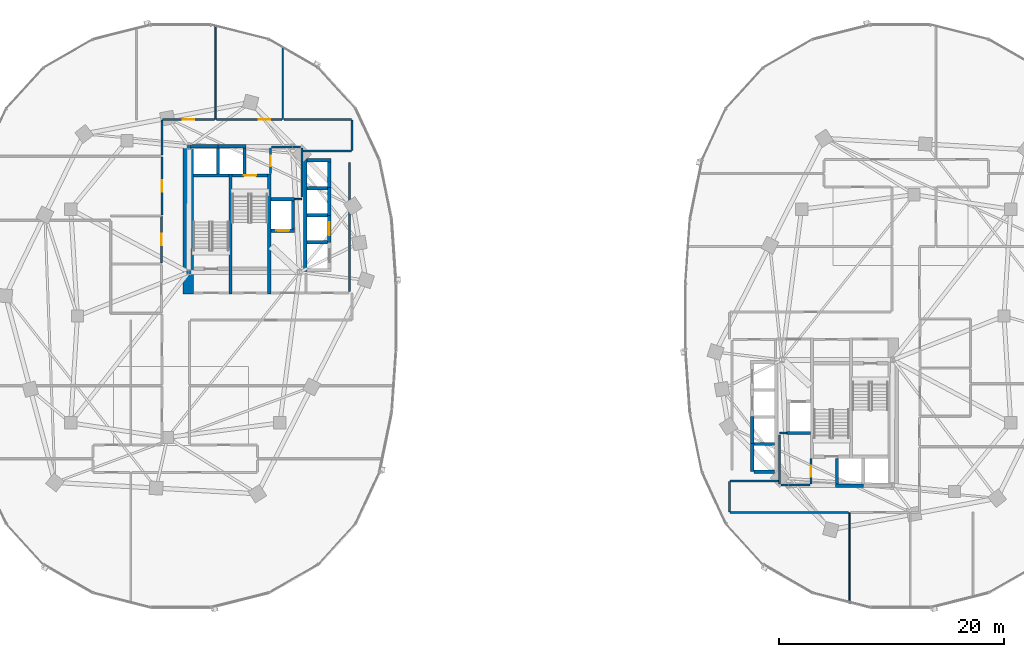
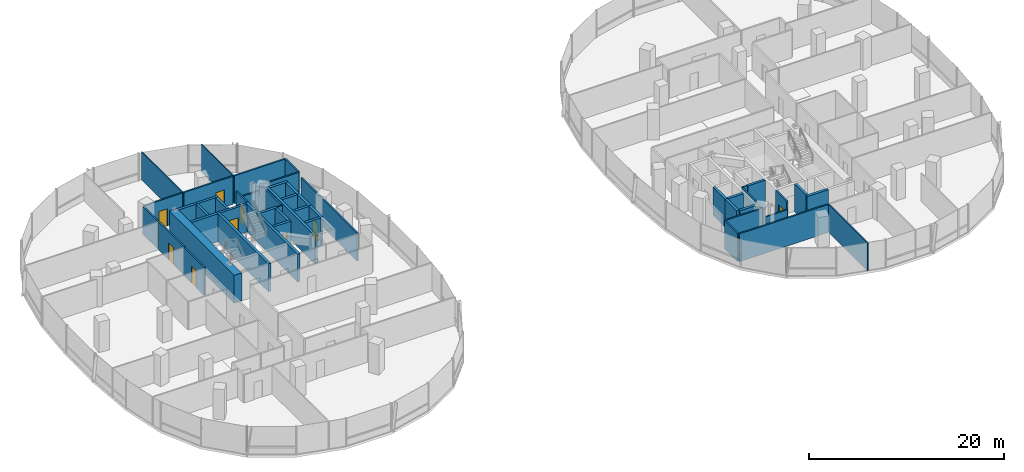
# One storey, part 12 of 22: 50 walls, 9 doors, 9 openings.
"""IFC4 building model written with IfcOpenShell, lengths in metres."""

from ifc_helpers import new_model, si_unit, direction, frame, frame_2d, origin, place, context, subcontext, project, spatial, rectangle, extrude, material, layer, layer_set, type_object, element, fill, save


model = new_model("IFC4")

# Units and contexts
model_context = context("Model", 3, precision=1e-05, world=origin(), true_north=direction((0.0, 1.0)))
body_context = subcontext(model_context, "Body", "Model", "MODEL_VIEW")
ifc_project = project(units=[si_unit("LENGTHUNIT", "METRE"), si_unit("AREAUNIT", "SQUARE_METRE"), si_unit("VOLUMEUNIT", "CUBIC_METRE"), si_unit("PLANEANGLEUNIT", "RADIAN"), si_unit("MASSUNIT", "GRAM", prefix="KILO"), si_unit("THERMODYNAMICTEMPERATUREUNIT", "KELVIN"), si_unit("POWERUNIT", "WATT")], contexts=[model_context])

# Site, building, storey
site_placement = place(None, origin())
site = spatial("IfcSite", under=ifc_project, at=site_placement, CompositionType="ELEMENT")
building_placement = place(site_placement, origin())
building = spatial("IfcBuilding", under=site, at=building_placement, Name="Cundina Bronze Exchange", CompositionType="ELEMENT")
storey_placement = place(building_placement, frame((0.0, 0.0, 35.39990234375)))
storey = spatial("IfcBuildingStorey", under=building, at=storey_placement, Name="L08", CompositionType="ELEMENT", Elevation=35.39990234375)

# Walls
ifc_material_1 = material(Name="Gypsum Fireboard Partition EI120")
ifc_layer_1 = layer(ifc_material_1, 0.179931640625, Name="Gypsum Fireboard Partition EI120")
ifc_layer_set_1 = layer_set([ifc_layer_1], Name="Gypsum Fireboard Partition EI120")
wall_type_1 = type_object("IfcWallType", Name="WL-COR-180", PredefinedType="PARTITIONING", material=ifc_layer_set_1)
wall_1_placement = place(storey_placement, frame((-17.02001953125, 2.169921875, 0.0), z_axis=(0.0, 0.0, 1.0), x_axis=(0.0, 1.0, 0.0)))
element("IfcWall", 1, at=wall_1_placement, inside=storey, type_object=wall_type_1, Name="L08 Interior Partition 001", PredefinedType="PARTITIONING", context=body_context, shape_type="SweptSolid", body=[
    extrude(rectangle(XDim=11.510009765625, YDim=0.179931640625, at=frame_2d((5.7548828125, 0.0))), origin(), (0.0, 0.0, 1.0), 3.5),
])
wall_2_placement = place(storey_placement, frame((-21.25, 10.570068359375, 0.0), z_axis=(0.0, 0.0, 1.0), x_axis=(0.0, 1.0, 0.0)))
element("IfcWall", 2, at=wall_2_placement, inside=storey, type_object=wall_type_1, Name="L08 Interior Partition 004", PredefinedType="PARTITIONING", context=body_context, shape_type="SweptSolid", body=[
    extrude(rectangle(XDim=4.35986328125, YDim=0.179931640625, at=frame_2d((2.179931640625, 0.0))), origin(), (0.0, 0.0, 1.0), 3.5),
])
wall_3_placement = place(storey_placement, frame((-23.9599609375, 15.030029296875, 0.0), z_axis=(0.0, 0.0, 1.0), x_axis=(1.0, 0.0, 0.0)))
element("IfcWall", 3, at=wall_3_placement, inside=storey, type_object=wall_type_1, Name="L08 Interior Partition 005", PredefinedType="PARTITIONING", context=body_context, shape_type="SweptSolid", body=[
    extrude(rectangle(XDim=2.60986328125, YDim=0.179931640625, at=frame_2d((1.304931640625, 0.0))), origin(), (0.0, 0.0, 1.0), 2.572998046875),
])

# Wall, opening, door
wall_4_placement = place(storey_placement, frame((-24.02001953125, 12.669921875, 0.0), z_axis=(0.0, 0.0, 1.0), x_axis=(0.0, 1.0, 0.0)))
wall_4 = element("IfcWall", 4, at=wall_4_placement, inside=storey, type_object=wall_type_1, Name="L08 Interior Partition 007", PredefinedType="PARTITIONING", context=body_context, shape_type="SweptSolid", body=[
    extrude(rectangle(XDim=2.260009765625, YDim=0.179931640625, at=frame_2d((1.1298828125, 0.0))), origin(), (0.0, 0.0, 1.0), 3.5),
])
opening_1_placement = place(wall_4_placement, frame((0.655029296875, 0.0, 0.0)))
opening_1 = element("IfcOpeningElement", 5, at=opening_1_placement, cuts=wall_4, Name="Opening DW-01", PredefinedType="OPENING", context=body_context, shape_type="SweptSolid", body=[
    extrude(rectangle(XDim=0.949951171875, YDim=2.10009765625, at=frame_2d((0.47509765625, 1.050048828125))), frame((0.0, 0.099853515625, 0.0), z_axis=(0.0, -1.0, 0.0), x_axis=(1.0, 0.0, 0.0)), (0.0, 0.0, 1.0), 0.199951171875),
])
ifc_material_2 = material(Name="Solid Andean Oak Timber Grade A", Category="wood")
door_type_1 = type_object("IfcDoorType", Name="DR-WC-950", OperationType="NOTDEFINED", PredefinedType="DOOR", material=ifc_material_2)
door_1_placement = place(opening_1_placement, origin())
door_1 = element("IfcDoor", 6, at=door_1_placement, inside=storey, type_object=door_type_1, Name="L08 Interior Door 007", OperationType="SINGLE_SWING_RIGHT", OverallHeight=2.10009765625, OverallWidth=0.949951171875, PredefinedType="DOOR", context=body_context, shape_type="SweptSolid", body=[
    extrude(rectangle(XDim=0.949951171875, YDim=2.10009765625, at=frame_2d((0.47509765625, 1.050048828125))), frame((0.0, 0.02490234375, 0.0), z_axis=(0.0, -1.0, 0.0), x_axis=(1.0, 0.0, 0.0)), (0.0, 0.0, 1.0), 0.050048828125),
])
fill(opening_1, door_1)

wall_5_placement = place(storey_placement, frame((-33.719970703125, 4.72998046875, 0.0), z_axis=(0.0, 0.0, 1.0), x_axis=(0.0, 1.0, 0.0)))
wall_5 = element("IfcWall", 7, at=wall_5_placement, inside=storey, type_object=wall_type_1, Name="L08 Interior Partition 014", PredefinedType="PARTITIONING", context=body_context, shape_type="SweptSolid", body=[
    extrude(rectangle(XDim=4.159912109375, YDim=0.179931640625, at=frame_2d((2.080078125, 0.0))), origin(), (0.0, 0.0, 1.0), 3.5),
])
opening_2_placement = place(wall_5_placement, frame((1.580078125, 0.0, 0.0)))
opening_2 = element("IfcOpeningElement", 8, at=opening_2_placement, cuts=wall_5, Name="Opening DO-01", PredefinedType="OPENING", context=body_context, shape_type="SweptSolid", body=[
    extrude(rectangle(XDim=1.0, YDim=2.14990234375, at=frame_2d((0.5, 1.074951171875))), frame((0.0, 0.099853515625, 0.0), z_axis=(0.0, -1.0, 0.0), x_axis=(1.0, 0.0, 0.0)), (0.0, 0.0, 1.0), 0.199951171875),
])
door_type_2 = type_object("IfcDoorType", Name="DR-OFF-1000", OperationType="NOTDEFINED", PredefinedType="DOOR", material=ifc_material_2)
door_2_placement = place(opening_2_placement, origin())
door_2 = element("IfcDoor", 9, at=door_2_placement, inside=storey, type_object=door_type_2, Name="L08 Interior Door 014", OperationType="SINGLE_SWING_LEFT", OverallHeight=2.14990234375, OverallWidth=1.0, PredefinedType="DOOR", context=body_context, shape_type="SweptSolid", body=[
    extrude(rectangle(XDim=1.0, YDim=2.14990234375, at=frame_2d((0.5, 1.074951171875))), frame((0.0, 0.02490234375, 0.0), z_axis=(0.0, -1.0, 0.0), x_axis=(1.0, 0.0, 0.0)), (0.0, 0.0, 1.0), 0.050048828125),
])
fill(opening_2, door_2)

# Walls
wall_6_placement = place(storey_placement, frame((-16.821533203125, 17.469970703125, 0.0), z_axis=(0.0, 0.0, 1.0), x_axis=(-1.0, 0.0, 0.0)))
element("IfcWall", 10, at=wall_6_placement, inside=storey, type_object=wall_type_1, Name="L08 Interior Partition 041", PredefinedType="PARTITIONING", context=body_context, shape_type="SweptSolid", body=[
    extrude(rectangle(XDim=6.028564453125, YDim=0.179931640625, at=frame_2d((3.01416015625, 0.0))), origin(), (0.0, 0.0, 1.0), 3.5),
])
wall_7_placement = place(storey_placement, frame((-21.178466796875, 14.679931640625, 0.0), z_axis=(0.0, 0.0, 1.0), x_axis=(1.0, 0.0, 0.0)))
element("IfcWall", 11, at=wall_7_placement, inside=storey, type_object=wall_type_1, Name="L08 Interior Partition 043", PredefinedType="PARTITIONING", context=body_context, shape_type="SweptSolid", body=[
    extrude(rectangle(XDim=4.35693359375, YDim=0.179931640625, at=frame_2d((2.178466796875, 0.0))), origin(), (0.0, 0.0, 1.0), 3.5),
])
wall_8_placement = place(storey_placement, frame((-16.780029296875, 14.721435546875, 0.0), z_axis=(0.0, 0.0, 1.0), x_axis=(0.0, 1.0, 0.0)))
element("IfcWall", 12, at=wall_8_placement, inside=storey, type_object=wall_type_1, Name="L08 Interior Partition 044", PredefinedType="PARTITIONING", context=body_context, shape_type="SweptSolid", body=[
    extrude(rectangle(XDim=2.70703125, YDim=0.179931640625, at=frame_2d((1.353515625, 0.0))), origin(), (0.0, 0.0, 1.0), 3.5),
])

# Wall, opening, door
wall_9_placement = place(storey_placement, frame((-33.669921875, 14.1298828125, 0.0), z_axis=(0.0, 0.0, 1.0), x_axis=(0.0, -1.0, 0.0)))
wall_9 = element("IfcWall", 13, at=wall_9_placement, inside=storey, type_object=wall_type_1, Name="L08 Interior Partition 046", PredefinedType="PARTITIONING", context=body_context, shape_type="SweptSolid", body=[
    extrude(rectangle(XDim=5.12841796875, YDim=0.179931640625, at=frame_2d((2.564208984375, 0.0))), origin(), (0.0, 0.0, 1.0), 3.5),
])
opening_3_placement = place(wall_9_placement, frame((2.064208984375, 0.0, 0.0)))
opening_3 = element("IfcOpeningElement", 14, at=opening_3_placement, cuts=wall_9, Name="Opening DO-01", PredefinedType="OPENING", context=body_context, shape_type="SweptSolid", body=[
    extrude(rectangle(XDim=1.0, YDim=2.14990234375, at=frame_2d((0.5, 1.074951171875))), frame((0.0, 0.099853515625, 0.0), z_axis=(0.0, -1.0, 0.0), x_axis=(1.0, 0.0, 0.0)), (0.0, 0.0, 1.0), 0.199951171875),
])
door_3_placement = place(opening_3_placement, origin())
door_3 = element("IfcDoor", 15, at=door_3_placement, inside=storey, type_object=door_type_2, Name="L08 Interior Door 046", OperationType="SINGLE_SWING_RIGHT", OverallHeight=2.14990234375, OverallWidth=1.0, PredefinedType="DOOR", context=body_context, shape_type="SweptSolid", body=[
    extrude(rectangle(XDim=1.0, YDim=2.14990234375, at=frame_2d((0.5, 1.074951171875))), frame((0.0, 0.02490234375, 0.0), z_axis=(0.0, -1.0, 0.0), x_axis=(1.0, 0.0, 0.0)), (0.0, 0.0, 1.0), 0.050048828125),
])
fill(opening_3, door_3)

wall_10_placement = place(storey_placement, frame((-29.030029296875, 17.469970703125, 0.0), z_axis=(0.0, 0.0, 1.0), x_axis=(-1.0, 0.0, 0.0)))
wall_10 = element("IfcWall", 16, at=wall_10_placement, inside=storey, type_object=wall_type_1, Name="L08 Interior Partition 047", PredefinedType="PARTITIONING", context=body_context, shape_type="SweptSolid", body=[
    extrude(rectangle(XDim=4.598388671875, YDim=0.179931640625, at=frame_2d((2.29931640625, 0.0))), origin(), (0.0, 0.0, 1.0), 3.5),
])
opening_4_placement = place(wall_10_placement, frame((1.79931640625, 0.0, 0.0)))
opening_4 = element("IfcOpeningElement", 17, at=opening_4_placement, cuts=wall_10, Name="Opening DO-01", PredefinedType="OPENING", context=body_context, shape_type="SweptSolid", body=[
    extrude(rectangle(XDim=1.0, YDim=2.14990234375, at=frame_2d((0.5, 1.074951171875))), frame((0.0, 0.099853515625, 0.0), z_axis=(0.0, -1.0, 0.0), x_axis=(1.0, 0.0, 0.0)), (0.0, 0.0, 1.0), 0.199951171875),
])
door_4_placement = place(opening_4_placement, origin())
door_4 = element("IfcDoor", 18, at=door_4_placement, inside=storey, type_object=door_type_2, Name="L08 Interior Door 047", OperationType="SINGLE_SWING_LEFT", OverallHeight=2.14990234375, OverallWidth=1.0, PredefinedType="DOOR", context=body_context, shape_type="SweptSolid", body=[
    extrude(rectangle(XDim=1.0, YDim=2.14990234375, at=frame_2d((0.5, 1.074951171875))), frame((0.0, 0.02490234375, 0.0), z_axis=(0.0, -1.0, 0.0), x_axis=(1.0, 0.0, 0.0)), (0.0, 0.0, 1.0), 0.050048828125),
])
fill(opening_4, door_4)

# Wall
wall_11_placement = place(storey_placement, frame((-33.669921875, 17.428466796875, 0.0), z_axis=(0.0, 0.0, 1.0), x_axis=(0.0, -1.0, 0.0)))
element("IfcWall", 19, at=wall_11_placement, inside=storey, type_object=wall_type_1, Name="L08 Interior Partition 048", PredefinedType="PARTITIONING", context=body_context, shape_type="SweptSolid", body=[
    extrude(rectangle(XDim=3.118408203125, YDim=0.179931640625, at=frame_2d((1.55908203125, 0.0))), origin(), (0.0, 0.0, 1.0), 3.5),
])

# Wall, opening, door
wall_12_placement = place(storey_placement, frame((-23.030029296875, 17.469970703125, 0.0), z_axis=(0.0, 0.0, 1.0), x_axis=(-1.0, 0.0, 0.0)))
wall_12 = element("IfcWall", 20, at=wall_12_placement, inside=storey, type_object=wall_type_1, Name="L08 Interior Partition 049", PredefinedType="PARTITIONING", context=body_context, shape_type="SweptSolid", body=[
    extrude(rectangle(XDim=5.820068359375, YDim=0.179931640625, at=frame_2d((2.91015625, 0.0))), origin(), (0.0, 0.0, 1.0), 3.5),
])
opening_5_placement = place(wall_12_placement, frame((1.035888671875, 0.0, 0.0)))
opening_5 = element("IfcOpeningElement", 21, at=opening_5_placement, cuts=wall_12, Name="Opening DO-01", PredefinedType="OPENING", context=body_context, shape_type="SweptSolid", body=[
    extrude(rectangle(XDim=1.0, YDim=2.14990234375, at=frame_2d((0.5, 1.074951171875))), frame((0.0, 0.099853515625, 0.0), z_axis=(0.0, -1.0, 0.0), x_axis=(1.0, 0.0, 0.0)), (0.0, 0.0, 1.0), 0.199951171875),
])
door_5_placement = place(opening_5_placement, origin())
door_5 = element("IfcDoor", 22, at=door_5_placement, inside=storey, type_object=door_type_2, Name="L08 Interior Door 049", OperationType="SINGLE_SWING_LEFT", OverallHeight=2.14990234375, OverallWidth=1.0, PredefinedType="DOOR", context=body_context, shape_type="SweptSolid", body=[
    extrude(rectangle(XDim=1.0, YDim=2.14990234375, at=frame_2d((0.5, 1.074951171875))), frame((0.0, 0.02490234375, 0.0), z_axis=(0.0, -1.0, 0.0), x_axis=(1.0, 0.0, 0.0)), (0.0, 0.0, 1.0), 0.050048828125),
])
fill(opening_5, door_5)

# Walls
wall_13_placement = place(storey_placement, frame((21.25, -14.929931640625, 0.0), z_axis=(0.0, 0.0, 1.0), x_axis=(0.0, 1.0, 0.0)))
element("IfcWall", 23, at=wall_13_placement, inside=storey, type_object=wall_type_1, Name="L08 Interior Partition 053", PredefinedType="PARTITIONING", context=body_context, shape_type="SweptSolid", body=[
    extrude(rectangle(XDim=4.35986328125, YDim=0.179931640625, at=frame_2d((2.179931640625, 0.0))), origin(), (0.0, 0.0, 1.0), 3.5),
])
wall_14_placement = place(storey_placement, frame((21.35009765625, -15.030029296875, 0.0), z_axis=(0.0, 0.0, 1.0), x_axis=(1.0, 0.0, 0.0)))
element("IfcWall", 24, at=wall_14_placement, inside=storey, type_object=wall_type_1, Name="L08 Interior Partition 054", PredefinedType="PARTITIONING", context=body_context, shape_type="SweptSolid", body=[
    extrude(rectangle(XDim=2.60986328125, YDim=0.179931640625, at=frame_2d((1.304931640625, 0.0))), origin(), (0.0, 0.0, 1.0), 2.572998046875),
])

# Wall, opening, door
wall_15_placement = place(storey_placement, frame((24.02001953125, -14.929931640625, 0.0), z_axis=(0.0, 0.0, 1.0), x_axis=(0.0, 1.0, 0.0)))
wall_15 = element("IfcWall", 25, at=wall_15_placement, inside=storey, type_object=wall_type_1, Name="L08 Interior Partition 056", PredefinedType="PARTITIONING", context=body_context, shape_type="SweptSolid", body=[
    extrude(rectangle(XDim=2.260009765625, YDim=0.179931640625, at=frame_2d((1.1298828125, 0.0))), origin(), (0.0, 0.0, 1.0), 3.5),
])
opening_6_placement = place(wall_15_placement, frame((0.655029296875, 0.0, 0.0)))
opening_6 = element("IfcOpeningElement", 26, at=opening_6_placement, cuts=wall_15, Name="Opening DW-01", PredefinedType="OPENING", context=body_context, shape_type="SweptSolid", body=[
    extrude(rectangle(XDim=0.949951171875, YDim=2.10009765625, at=frame_2d((0.47509765625, 1.050048828125))), frame((0.0, 0.099853515625, 0.0), z_axis=(0.0, -1.0, 0.0), x_axis=(1.0, 0.0, 0.0)), (0.0, 0.0, 1.0), 0.199951171875),
])
door_6_placement = place(opening_6_placement, origin())
door_6 = element("IfcDoor", 27, at=door_6_placement, inside=storey, type_object=door_type_1, Name="L08 Interior Door 056", OperationType="SINGLE_SWING_LEFT", OverallHeight=2.10009765625, OverallWidth=0.949951171875, PredefinedType="DOOR", context=body_context, shape_type="SweptSolid", body=[
    extrude(rectangle(XDim=0.949951171875, YDim=2.10009765625, at=frame_2d((0.47509765625, 1.050048828125))), frame((0.0, 0.02490234375, 0.0), z_axis=(0.0, -1.0, 0.0), x_axis=(1.0, 0.0, 0.0)), (0.0, 0.0, 1.0), 0.050048828125),
])
fill(opening_6, door_6)

# Walls
wall_16_placement = place(storey_placement, frame((16.821533203125, -17.469970703125, 0.0), z_axis=(0.0, 0.0, 1.0), x_axis=(1.0, 0.0, 0.0)))
element("IfcWall", 28, at=wall_16_placement, inside=storey, type_object=wall_type_1, Name="L08 Interior Partition 081", PredefinedType="PARTITIONING", context=body_context, shape_type="SweptSolid", body=[
    extrude(rectangle(XDim=10.548583984375, YDim=0.179931640625, at=frame_2d((5.2744140625, 0.0))), origin(), (0.0, 0.0, 1.0), 3.5),
])
wall_17_placement = place(storey_placement, frame((21.178466796875, -14.679931640625, 0.0), z_axis=(0.0, 0.0, 1.0), x_axis=(-1.0, 0.0, 0.0)))
element("IfcWall", 29, at=wall_17_placement, inside=storey, type_object=wall_type_1, Name="L08 Interior Partition 083", PredefinedType="PARTITIONING", context=body_context, shape_type="SweptSolid", body=[
    extrude(rectangle(XDim=4.35693359375, YDim=0.179931640625, at=frame_2d((2.178466796875, 0.0))), origin(), (0.0, 0.0, 1.0), 3.5),
])
wall_18_placement = place(storey_placement, frame((16.780029296875, -14.721435546875, 0.0), z_axis=(0.0, 0.0, 1.0), x_axis=(0.0, -1.0, 0.0)))
element("IfcWall", 30, at=wall_18_placement, inside=storey, type_object=wall_type_1, Name="L08 Interior Partition 084", PredefinedType="PARTITIONING", context=body_context, shape_type="SweptSolid", body=[
    extrude(rectangle(XDim=2.70703125, YDim=0.179931640625, at=frame_2d((1.353515625, 0.0))), origin(), (0.0, 0.0, 1.0), 3.5),
])
ifc_material_3 = material(Name="Concrete C60/75", Category="concrete")
ifc_layer_2 = layer(ifc_material_3, 0.89990234375, Name="Concrete C60/75", Category="concrete")
ifc_layer_set_2 = layer_set([ifc_layer_2], Name="Concrete C60/75")
wall_type_2 = type_object("IfcWallType", Name="WL-CORE-900", PredefinedType="SHEAR", material=ifc_layer_set_2)
wall_19_placement = place(storey_placement, frame((-31.35009765625, 1.969970703125, 0.0), z_axis=(0.0, 0.0, 1.0), x_axis=(0.0, 1.0, 0.0)))
element("IfcWall", 31, at=wall_19_placement, inside=storey, type_object=wall_type_2, Name="L08 W Primary Core Shear Spine Wall", PredefinedType="SHEAR", context=body_context, shape_type="SweptSolid", body=[
    extrude(rectangle(XDim=13.330078125, YDim=0.89990234375, at=frame_2d((6.6650390625, 0.0))), origin(), (0.0, 0.0, 1.0), 3.5),
])
ifc_material_4 = material(Name="Gypsum Acoustic Partition EI60")
ifc_layer_3 = layer(ifc_material_4, 0.125, Name="Gypsum Acoustic Partition EI60")
ifc_layer_set_3 = layer_set([ifc_layer_3], Name="Gypsum Acoustic Partition EI60")
wall_type_3 = type_object("IfcWallType", Name="WL-OFF-125", PredefinedType="PARTITIONING", material=ifc_layer_set_3)
wall_20_placement = place(storey_placement, frame((-28.93994140625, 17.5, 0.0), z_axis=(0.0, 0.0, 1.0), x_axis=(0.0, 1.0, 0.0)))
element("IfcWall", 32, at=wall_20_placement, inside=storey, type_object=wall_type_3, Name="L08 Interior Partition 026", PredefinedType="PARTITIONING", context=body_context, shape_type="SweptSolid", body=[
    extrude(rectangle(XDim=8.394775390625, YDim=0.125, at=frame_2d((4.197265625, 0.0))), origin(), (0.0, 0.0, 1.0), 3.5),
])
wall_21_placement = place(storey_placement, frame((-22.93994140625, 17.5, 0.0), z_axis=(0.0, 0.0, 1.0), x_axis=(0.0, 1.0, 0.0)))
element("IfcWall", 33, at=wall_21_placement, inside=storey, type_object=wall_type_3, Name="L08 Interior Partition 027", PredefinedType="PARTITIONING", context=body_context, shape_type="SweptSolid", body=[
    extrude(rectangle(XDim=6.490478515625, YDim=0.125, at=frame_2d((3.2451171875, 0.0))), origin(), (0.0, 0.0, 1.0), 3.5),
])
wall_22_placement = place(storey_placement, frame((27.4599609375, -25.5205078125, 0.0), z_axis=(0.0, 0.0, 1.0), x_axis=(0.0, 1.0, 0.0)))
element("IfcWall", 34, at=wall_22_placement, inside=storey, type_object=wall_type_3, Name="L08 Interior Partition 073", PredefinedType="PARTITIONING", context=body_context, shape_type="SweptSolid", body=[
    extrude(rectangle(XDim=8.0205078125, YDim=0.125, at=frame_2d((4.01025390625, 0.0))), origin(), (0.0, 0.0, 1.0), 3.5),
])
ifc_material_5 = material(Name="Concrete C50/60", Category="concrete")
ifc_layer_4 = layer(ifc_material_5, 0.300048828125, Name="Concrete C50/60", Category="concrete")
ifc_layer_set_4 = layer_set([ifc_layer_4], Name="Concrete C50/60")
wall_type_4 = type_object("IfcWallType", Name="WL-SHFT-300", PredefinedType="SHEAR", material=ifc_layer_set_4)
for number, where, z_axis, x_axis, name in (
    (35, (-27.590087890625, 1.969970703125, 0.0), (0.0, 0.0, 1.0), (0.0, 1.0, 0.0), "L08 W Stair Shaft Dividing Shear Wall"),
    (36, (-24.1298828125, 1.969970703125, 0.0), (0.0, 0.0, 1.0), (0.0, 1.0, 0.0), "L08 W Stair 2 East Shear Wall"),
):
    element("IfcWall", number, at=place(storey_placement, frame(where, z_axis=z_axis, x_axis=x_axis)), inside=storey, type_object=wall_type_4, Name=name, PredefinedType="SHEAR", context=body_context, shape_type="SweptSolid", body=[
        extrude(rectangle(XDim=10.679931640625, YDim=0.300048828125, at=frame_2d((5.33984375, 0.0))), origin(), (0.0, 0.0, 1.0), 3.5),
    ])
wall_23_placement = place(storey_placement, frame((-30.89990234375, 12.5, 0.0), z_axis=(0.0, 0.0, 1.0), x_axis=(1.0, 0.0, 0.0)))
element("IfcWall", 37, at=wall_23_placement, inside=storey, type_object=wall_type_4, Name="L08 Stair W1 Far Shaft Wall", PredefinedType="SHEAR", context=body_context, shape_type="SweptSolid", body=[
    extrude(rectangle(XDim=3.159912109375, YDim=0.300048828125, at=frame_2d((1.580078125, 0.0))), origin(), (0.0, 0.0, 1.0), 3.5),
])

# Wall, opening, door
wall_24_placement = place(storey_placement, frame((-27.43994140625, 12.5, 0.0), z_axis=(0.0, 0.0, 1.0), x_axis=(1.0, 0.0, 0.0)))
wall_24 = element("IfcWall", 38, at=wall_24_placement, inside=storey, type_object=wall_type_4, Name="L08 Stair W2 Landing Wall", PredefinedType="SHEAR", context=body_context, shape_type="SweptSolid", body=[
    extrude(rectangle(XDim=3.159912109375, YDim=0.300048828125, at=frame_2d((1.580078125, 0.0))), origin(), (0.0, 0.0, 1.0), 3.5),
])
opening_7_placement = place(wall_24_placement, frame((1.030029296875, 0.0, 0.0)))
opening_7 = element("IfcOpeningElement", 39, at=opening_7_placement, cuts=wall_24, Name="Opening DS-01", PredefinedType="OPENING", context=body_context, shape_type="SweptSolid", body=[
    extrude(rectangle(XDim=1.10009765625, YDim=2.14990234375, at=frame_2d((0.550048828125, 1.074951171875))), frame((0.0, 0.159912109375, 0.0), z_axis=(0.0, -1.0, 0.0), x_axis=(1.0, 0.0, 0.0)), (0.0, 0.0, 1.0), 0.320068359375),
])
ifc_material_6 = material(Name="Steel ASTM A36 Painted", Category="steel")
door_type_3 = type_object("IfcDoorType", Name="DR-STR-1100", OperationType="NOTDEFINED", PredefinedType="DOOR", material=ifc_material_6)
door_7_placement = place(opening_7_placement, origin())
door_7 = element("IfcDoor", 40, at=door_7_placement, inside=storey, type_object=door_type_3, Name="L08 Smokeproof Stair W2 Door", OperationType="SINGLE_SWING_LEFT", OverallHeight=2.14990234375, OverallWidth=1.10009765625, PredefinedType="DOOR", context=body_context, shape_type="SweptSolid", body=[
    extrude(rectangle(XDim=1.10009765625, YDim=2.14990234375, at=frame_2d((0.550048828125, 1.074951171875))), frame((0.0, 0.02490234375, 0.0), z_axis=(0.0, -1.0, 0.0), x_axis=(1.0, 0.0, 0.0)), (0.0, 0.0, 1.0), 0.050048828125),
])
fill(opening_7, door_7)

wall_25_placement = place(storey_placement, frame((-23.97998046875, 7.60009765625, 0.0), z_axis=(0.0, 0.0, 1.0), x_axis=(1.0, 0.0, 0.0)))
wall_25 = element("IfcWall", 41, at=wall_25_placement, inside=storey, type_object=wall_type_4, Name="L08 FFL-W Hoistway Front Wall", PredefinedType="SHEAR", context=body_context, shape_type="SweptSolid", body=[
    extrude(rectangle(XDim=2.10009765625, YDim=0.300048828125, at=frame_2d((1.050048828125, 0.0))), origin(), (0.0, 0.0, 1.0), 3.5),
])
opening_8_placement = place(wall_25_placement, frame((0.47509765625, 0.0, 0.0)))
opening_8 = element("IfcOpeningElement", 42, at=opening_8_placement, cuts=wall_25, Name="Opening LD-01", PredefinedType="OPENING", context=body_context, shape_type="SweptSolid", body=[
    extrude(rectangle(XDim=1.14990234375, YDim=2.199951171875, at=frame_2d((0.574951171875, 1.10009765625))), frame((0.0, 0.159912109375, 0.0), z_axis=(0.0, -1.0, 0.0), x_axis=(1.0, 0.0, 0.0)), (0.0, 0.0, 1.0), 0.320068359375),
])
door_type_4 = type_object("IfcDoorType", Name="DR-LND-1150", OperationType="NOTDEFINED", PredefinedType="TRAPDOOR", material=ifc_material_6)
door_8_placement = place(opening_8_placement, origin())
door_8 = element("IfcDoor", 43, at=door_8_placement, inside=storey, type_object=door_type_4, Name="L08 FFL-W Sliding Landing Door", OperationType="SLIDING_TO_LEFT", OverallHeight=2.199951171875, OverallWidth=1.14990234375, PredefinedType="TRAPDOOR", context=body_context, shape_type="SweptSolid", body=[
    extrude(rectangle(XDim=1.14990234375, YDim=2.199951171875, at=frame_2d((0.574951171875, 1.10009765625))), frame((0.0, 0.02490234375, 0.0), z_axis=(0.0, -1.0, 0.0), x_axis=(1.0, 0.0, 0.0)), (0.0, 0.0, 1.0), 0.050048828125),
])
fill(opening_8, door_8)

# Walls
wall_26_placement = place(storey_placement, frame((-23.97998046875, 10.39990234375, 0.0), z_axis=(0.0, 0.0, 1.0), x_axis=(1.0, 0.0, 0.0)))
element("IfcWall", 44, at=wall_26_placement, inside=storey, type_object=wall_type_4, Name="L08 FFL-W Hoistway Back Wall", PredefinedType="SHEAR", context=body_context, shape_type="SweptSolid", body=[
    extrude(rectangle(XDim=2.10009765625, YDim=0.300048828125, at=frame_2d((1.050048828125, 0.0))), origin(), (0.0, 0.0, 1.0), 3.5),
])
for number, where, z_axis, x_axis, name in (
    (45, (-22.030029296875, 7.75, 0.0), (0.0, 0.0, 1.0), (0.0, 1.0, 0.0), "L08 FFL-W Hoistway Side Wall"),
    (46, (-31.199951171875, 15.10009765625, 0.0), (0.0, 0.0, 1.0), (1.0, 0.0, 0.0), "L08 PH-W1 Hoistway Front Wall"),
):
    element("IfcWall", number, at=place(storey_placement, frame(where, z_axis=z_axis, x_axis=x_axis)), inside=storey, type_object=wall_type_4, Name=name, PredefinedType="SHEAR", context=body_context, shape_type="SweptSolid", body=[
        extrude(rectangle(XDim=2.5, YDim=0.300048828125, at=frame_2d((1.25, 0.0))), origin(), (0.0, 0.0, 1.0), 3.5),
    ])
wall_27_placement = place(storey_placement, frame((-28.699951171875, 12.64990234375, 0.0), z_axis=(0.0, 0.0, 1.0), x_axis=(0.0, 1.0, 0.0)))
element("IfcWall", 47, at=wall_27_placement, inside=storey, type_object=wall_type_4, Name="L08 PH-W1 Hoistway Divider Wall", PredefinedType="SHEAR", context=body_context, shape_type="SweptSolid", body=[
    extrude(rectangle(XDim=2.300048828125, YDim=0.300048828125, at=frame_2d((1.14990234375, 0.0))), origin(), (0.0, 0.0, 1.0), 3.5),
])
wall_28_placement = place(storey_placement, frame((-28.699951171875, 15.10009765625, 0.0), z_axis=(0.0, 0.0, 1.0), x_axis=(1.0, 0.0, 0.0)))
element("IfcWall", 48, at=wall_28_placement, inside=storey, type_object=wall_type_4, Name="L08 PH-W2 Hoistway Front Wall", PredefinedType="SHEAR", context=body_context, shape_type="SweptSolid", body=[
    extrude(rectangle(XDim=2.5, YDim=0.300048828125, at=frame_2d((1.25, 0.0))), origin(), (0.0, 0.0, 1.0), 3.5),
])
wall_29_placement = place(storey_placement, frame((-26.35009765625, 12.64990234375, 0.0), z_axis=(0.0, 0.0, 1.0), x_axis=(0.0, 1.0, 0.0)))
element("IfcWall", 49, at=wall_29_placement, inside=storey, type_object=wall_type_4, Name="L08 PH-W2 Hoistway Divider Wall", PredefinedType="SHEAR", context=body_context, shape_type="SweptSolid", body=[
    extrude(rectangle(XDim=2.300048828125, YDim=0.300048828125, at=frame_2d((1.14990234375, 0.0))), origin(), (0.0, 0.0, 1.0), 3.5),
])
wall_30_placement = place(storey_placement, frame((-20.949951171875, 3.949951171875, 0.0), z_axis=(0.0, 0.0, 1.0), x_axis=(0.0, 1.0, 0.0)))
element("IfcWall", 50, at=wall_30_placement, inside=storey, type_object=wall_type_4, Name="L08 W Passenger Bank Hoistway Back Wall", PredefinedType="SHEAR", context=body_context, shape_type="SweptSolid", body=[
    extrude(rectangle(XDim=10.050048828125, YDim=0.300048828125, at=frame_2d((5.02490234375, 0.0))), origin(), (0.0, 0.0, 1.0), 3.5),
])
wall_31_placement = place(storey_placement, frame((-20.800048828125, 13.85009765625, 0.0), z_axis=(0.0, 0.0, 1.0), x_axis=(1.0, 0.0, 0.0)))
element("IfcWall", 51, at=wall_31_placement, inside=storey, type_object=wall_type_4, Name="L08 W Passenger Bank North Cap Wall", PredefinedType="SHEAR", context=body_context, shape_type="SweptSolid", body=[
    extrude(rectangle(XDim=2.150146484375, YDim=0.300048828125, at=frame_2d((1.0751953125, 0.0))), origin(), (0.0, 0.0, 1.0), 3.5),
])
for number, where, z_axis, x_axis, name in (
    (52, (-20.800048828125, 6.574951171875, 0.0), (0.0, 0.0, 1.0), (1.0, 0.0, 0.0), "L08 W Passenger Hoistway Divider 1"),
    (53, (-20.800048828125, 8.97509765625, 0.0), (0.0, 0.0, 1.0), (1.0, 0.0, 0.0), "L08 W Passenger Hoistway Divider 2"),
    (54, (-20.800048828125, 11.375, 0.0), (0.0, 0.0, 1.0), (1.0, 0.0, 0.0), "L08 W Passenger Hoistway Divider 3"),
):
    element("IfcWall", number, at=place(storey_placement, frame(where, z_axis=z_axis, x_axis=x_axis)), inside=storey, type_object=wall_type_4, Name=name, PredefinedType="SHEAR", context=body_context, shape_type="SweptSolid", body=[
        extrude(rectangle(XDim=1.85009765625, YDim=0.300048828125, at=frame_2d((0.925048828125, 0.0))), origin(), (0.0, 0.0, 1.0), 3.5),
    ])

# Wall, opening, door
wall_32_placement = place(storey_placement, frame((-18.800048828125, 6.530029296875, 0.0), z_axis=(0.0, 0.0, 1.0), x_axis=(0.0, 1.0, 0.0)))
wall_32 = element("IfcWall", 55, at=wall_32_placement, inside=storey, type_object=wall_type_4, Name="L08 PL-W1 Hoistway Front Wall", PredefinedType="SHEAR", context=body_context, shape_type="SweptSolid", body=[
    extrude(rectangle(XDim=2.489990234375, YDim=0.300048828125, at=frame_2d((1.2451171875, 0.0))), origin(), (0.0, 0.0, 1.0), 3.5),
])
opening_9_placement = place(wall_32_placement, frame((0.669921875, 0.0, 0.0)))
opening_9 = element("IfcOpeningElement", 56, at=opening_9_placement, cuts=wall_32, Name="Opening LD-01", PredefinedType="OPENING", context=body_context, shape_type="SweptSolid", body=[
    extrude(rectangle(XDim=1.14990234375, YDim=2.199951171875, at=frame_2d((0.574951171875, 1.10009765625))), frame((0.0, 0.159912109375, 0.0), z_axis=(0.0, -1.0, 0.0), x_axis=(1.0, 0.0, 0.0)), (0.0, 0.0, 1.0), 0.320068359375),
])
door_9_placement = place(opening_9_placement, origin())
door_9 = element("IfcDoor", 57, at=door_9_placement, inside=storey, type_object=door_type_4, Name="L08 PL-W1 Sliding Landing Door", OperationType="SLIDING_TO_LEFT", OverallHeight=2.199951171875, OverallWidth=1.14990234375, PredefinedType="TRAPDOOR", context=body_context, shape_type="SweptSolid", body=[
    extrude(rectangle(XDim=1.14990234375, YDim=2.199951171875, at=frame_2d((0.574951171875, 1.10009765625))), frame((0.0, 0.02490234375, 0.0), z_axis=(0.0, -1.0, 0.0), x_axis=(1.0, 0.0, 0.0)), (0.0, 0.0, 1.0), 0.050048828125),
])
fill(opening_9, door_9)

# Walls
for number, where, z_axis, x_axis, name in (
    (58, (-18.800048828125, 8.929931640625, 0.0), (0.0, 0.0, 1.0), (0.0, 1.0, 0.0), "L08 PM-W2 Hoistway Front Wall"),
    (59, (-18.800048828125, 11.330078125, 0.0), (0.0, 0.0, 1.0), (0.0, 1.0, 0.0), "L08 PM-W1 Hoistway Front Wall"),
):
    element("IfcWall", number, at=place(storey_placement, frame(where, z_axis=z_axis, x_axis=x_axis)), inside=storey, type_object=wall_type_4, Name=name, PredefinedType="SHEAR", context=body_context, shape_type="SweptSolid", body=[
        extrude(rectangle(XDim=2.489990234375, YDim=0.300048828125, at=frame_2d((1.2451171875, 0.0))), origin(), (0.0, 0.0, 1.0), 3.5),
    ])
wall_33_placement = place(storey_placement, frame((21.8798828125, -10.39990234375, 0.0), z_axis=(0.0, 0.0, 1.0), x_axis=(1.0, 0.0, 0.0)))
element("IfcWall", 60, at=wall_33_placement, inside=storey, type_object=wall_type_4, Name="L08 FFL-E Hoistway Back Wall", PredefinedType="SHEAR", context=body_context, shape_type="SweptSolid", body=[
    extrude(rectangle(XDim=2.10009765625, YDim=0.300048828125, at=frame_2d((1.050048828125, 0.0))), origin(), (0.0, 0.0, 1.0), 3.5),
])
wall_34_placement = place(storey_placement, frame((26.199951171875, -15.10009765625, 0.0), z_axis=(0.0, 0.0, 1.0), x_axis=(1.0, 0.0, 0.0)))
element("IfcWall", 61, at=wall_34_placement, inside=storey, type_object=wall_type_4, Name="L08 PH-E2 Hoistway Front Wall", PredefinedType="SHEAR", context=body_context, shape_type="SweptSolid", body=[
    extrude(rectangle(XDim=2.5, YDim=0.300048828125, at=frame_2d((1.25, 0.0))), origin(), (0.0, 0.0, 1.0), 3.5),
])
wall_35_placement = place(storey_placement, frame((26.35009765625, -14.949951171875, 0.0), z_axis=(0.0, 0.0, 1.0), x_axis=(0.0, 1.0, 0.0)))
element("IfcWall", 62, at=wall_35_placement, inside=storey, type_object=wall_type_4, Name="L08 PH-E2 Hoistway Divider Wall", PredefinedType="SHEAR", context=body_context, shape_type="SweptSolid", body=[
    extrude(rectangle(XDim=2.300048828125, YDim=0.300048828125, at=frame_2d((1.14990234375, 0.0))), origin(), (0.0, 0.0, 1.0), 3.5),
])
for number, where, z_axis, x_axis, name in (
    (63, (18.949951171875, -13.85009765625, 0.0), (0.0, 0.0, 1.0), (1.0, 0.0, 0.0), "L08 E Passenger Bank South Cap Wall"),
    (64, (18.949951171875, -11.375, 0.0), (0.0, 0.0, 1.0), (1.0, 0.0, 0.0), "L08 E Passenger Hoistway Divider 1"),
):
    element("IfcWall", number, at=place(storey_placement, frame(where, z_axis=z_axis, x_axis=x_axis)), inside=storey, type_object=wall_type_4, Name=name, PredefinedType="SHEAR", context=body_context, shape_type="SweptSolid", body=[
        extrude(rectangle(XDim=1.85009765625, YDim=0.300048828125, at=frame_2d((0.925048828125, 0.0))), origin(), (0.0, 0.0, 1.0), 3.5),
    ])
for number, where, z_axis, x_axis, name in (
    (65, (18.800048828125, -13.820068359375, 0.0), (0.0, 0.0, 1.0), (0.0, 1.0, 0.0), "L08 PM-E1 Hoistway Front Wall"),
    (66, (18.800048828125, -11.419921875, 0.0), (0.0, 0.0, 1.0), (0.0, 1.0, 0.0), "L08 PM-E2 Hoistway Front Wall"),
):
    element("IfcWall", number, at=place(storey_placement, frame(where, z_axis=z_axis, x_axis=x_axis)), inside=storey, type_object=wall_type_4, Name=name, PredefinedType="SHEAR", context=body_context, shape_type="SweptSolid", body=[
        extrude(rectangle(XDim=2.489990234375, YDim=0.300048828125, at=frame_2d((1.2451171875, 0.0))), origin(), (0.0, 0.0, 1.0), 3.5),
    ])
ifc_material_7 = material(Name="Moisture-Resistant Masonry Block Grade M15", Category="masonry")
ifc_layer_5 = layer(ifc_material_7, 0.139892578125, Name="Moisture-Resistant Masonry Block Grade M15", Category="masonry")
ifc_layer_set_5 = layer_set([ifc_layer_5], Name="Moisture-Resistant Masonry Block Grade M15")
wall_type_5 = type_object("IfcWallType", Name="WL-WET-140", PredefinedType="PARTITIONING", material=ifc_layer_set_5)
for number, where, z_axis, x_axis, name in (
    (67, (-21.860107421875, 10.39990234375, 0.0), (0.0, 0.0, 1.0), (1.0, 0.0, 0.0), "L08 Interior Partition 003"),
    (68, (21.27001953125, -10.39990234375, 0.0), (0.0, 0.0, 1.0), (1.0, 0.0, 0.0), "L08 Interior Partition 052"),
):
    element("IfcWall", number, at=place(storey_placement, frame(where, z_axis=z_axis, x_axis=x_axis)), inside=storey, type_object=wall_type_5, Name=name, PredefinedType="PARTITIONING", context=body_context, shape_type="SweptSolid", body=[
        extrude(rectangle(XDim=0.590087890625, YDim=0.139892578125, at=frame_2d((0.294921875, 0.0))), origin(), (0.0, 0.0, 1.0), 3.5),
    ])

save(model, "model.ifc")
